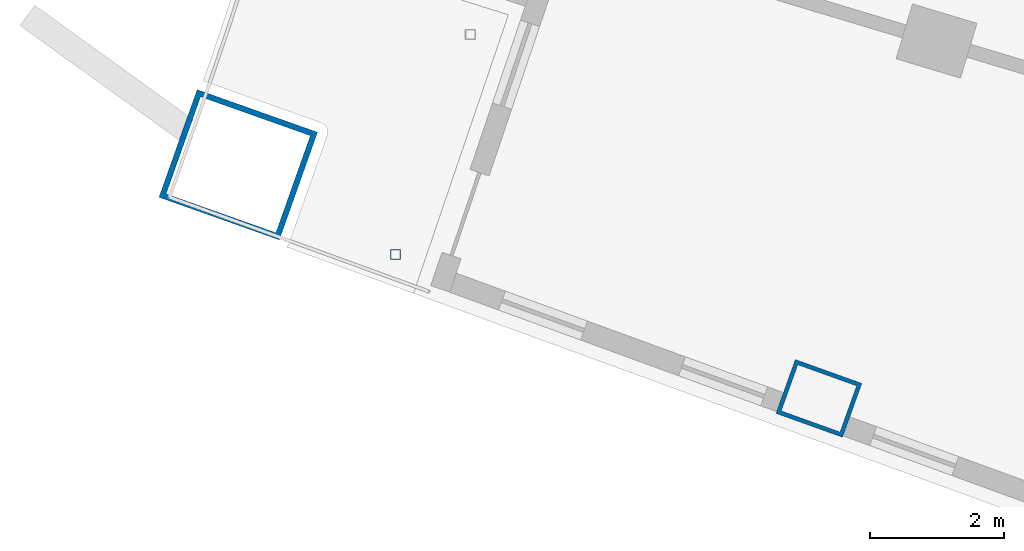
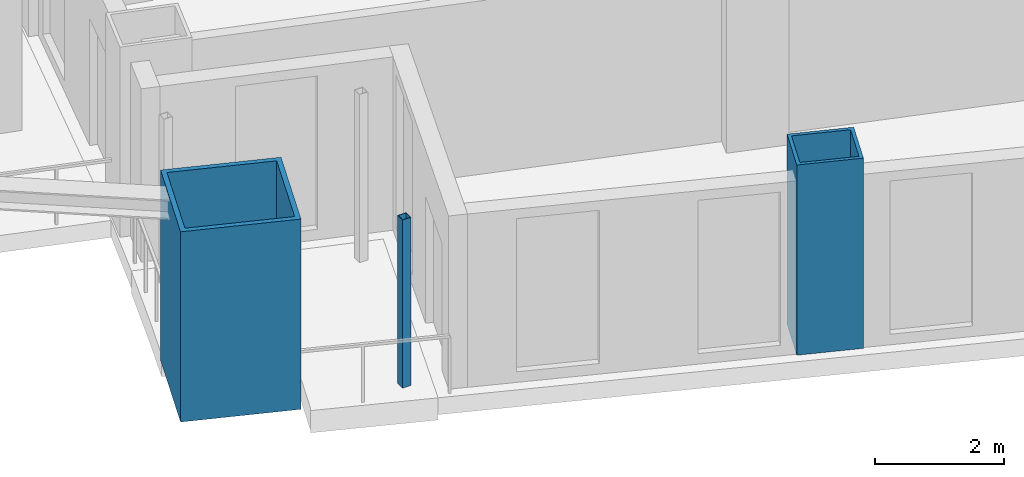
# One storey, part 1 of 25: 3 columns.
"""IFC4 building model written with IfcOpenShell, lengths in metres."""

from ifc_helpers import new_model, si_unit, direction, frame, origin, origin_2d, place, context, subcontext, project, spatial, hollow_rectangle, extrude, material, material_profile, profile_set, type_object, element, save


model = new_model("IFC4")

# Units and contexts
model_context = context("Model", 3, precision=1e-05, world=origin(), true_north=direction((0.0, 1.0)))
body_context = subcontext(model_context, "Body", "Model", "MODEL_VIEW")
ifc_project = project(units=[si_unit("LENGTHUNIT", "METRE"), si_unit("AREAUNIT", "SQUARE_METRE"), si_unit("VOLUMEUNIT", "CUBIC_METRE"), si_unit("PLANEANGLEUNIT", "RADIAN"), si_unit("MASSUNIT", "GRAM", prefix="KILO")], contexts=[model_context])

# Site, building, storey
site_placement = place(None, origin())
site = spatial("IfcSite", under=ifc_project, at=site_placement, CompositionType="ELEMENT")
building_placement = place(site_placement, origin())
building = spatial("IfcBuilding", under=site, at=building_placement, Name="Alderwake Tower", CompositionType="ELEMENT")
storey_placement = place(building_placement, frame((0.0, 0.0, 118.39990234375)))
storey = spatial("IfcBuildingStorey", under=building, at=storey_placement, Name="L29", CompositionType="ELEMENT", Elevation=118.39990234375)

# Columns
ifc_material_1 = material(Name="Steel ASTM A572 Grade 50 concrete filled C70/85", Category="concrete")
ifc_material_profile_1 = material_profile(ifc_material_1, hollow_rectangle(XDim=0.85009765625, YDim=1.050048828125, WallThickness=0.06005859375, at=origin_2d()), Name="BOX 1050X850X60")
ifc_profile_set_1 = profile_set([ifc_material_profile_1], Name="Steel ASTM A572 Grade 50 concrete filled C70/85")
column_type_1 = type_object("IfcColumnType", Name="End column Z2", PredefinedType="COLUMN", material=ifc_profile_set_1)
column_1_placement = place(storey_placement, frame((19.965576171875, 25.1484375, 0.0), z_axis=(0.0, 0.0, 1.0), x_axis=(0.337584879279, 0.9412950915, 0.0)))
element("IfcColumn", 1, at=column_1_placement, inside=storey, type_object=column_type_1, Name="Column R01-C1", PredefinedType="COLUMN", context=body_context, shape_type="SweptSolid", body=[
    extrude(hollow_rectangle(XDim=0.85009765625, YDim=1.050048828125, WallThickness=0.06005859375, at=origin_2d()), origin(), (0.0, 0.0, 1.0), 3.60009765625),
])
ifc_material_2 = material(Name="Steel ASTM A500 Grade C", Category="steel")
ifc_material_profile_2 = material_profile(ifc_material_2, hollow_rectangle(XDim=0.15234375, YDim=0.15234375, WallThickness=0.0087890625, at=origin_2d()), Name="HSS6X6X3/8")
ifc_profile_set_2 = profile_set([ifc_material_profile_2], Name="Steel ASTM A500 Grade C")
column_type_2 = type_object("IfcColumnType", Name="Light post HSS6X6X3/8", PredefinedType="COLUMN", material=ifc_profile_set_2)
column_2_placement = place(storey_placement, frame((13.66796875, 27.28759765625, 0.0), z_axis=(0.0, 0.0, 1.0), x_axis=(1.0, 0.0, 0.0)))
element("IfcColumn", 2, at=column_2_placement, inside=storey, type_object=column_type_2, Name="Terrace post RS2", PredefinedType="COLUMN", context=body_context, shape_type="SweptSolid", body=[
    extrude(hollow_rectangle(XDim=0.15234375, YDim=0.15234375, WallThickness=0.0087890625, at=origin_2d()), origin(), (0.0, 0.0, 1.0), 3.18017578125),
])
ifc_material_3 = material(Name="Steel ASTM A572 Grade 50 concrete filled C70/85", Category="concrete")
ifc_material_profile_3 = material_profile(ifc_material_3, hollow_rectangle(XDim=1.699951171875, YDim=1.89990234375, WallThickness=0.0849609375, at=origin_2d()), Name="BOX 1900X1700X85")
ifc_profile_set_3 = profile_set([ifc_material_profile_3], Name="Steel ASTM A572 Grade 50 concrete filled C70/85")
column_type_3 = type_object("IfcColumnType", Name="Mega column Z2", PredefinedType="COLUMN", material=ifc_profile_set_3)
column_3_placement = place(storey_placement, frame((11.330810546875, 28.622802734375, 0.0), z_axis=(0.0, 0.0, 1.0), x_axis=(0.334130947791, 0.942526662609, 0.0)))
element("IfcColumn", 3, at=column_3_placement, inside=storey, type_object=column_type_3, Name="Column R01-C0", PredefinedType="COLUMN", context=body_context, shape_type="SweptSolid", body=[
    extrude(hollow_rectangle(XDim=1.699951171875, YDim=1.89990234375, WallThickness=0.0849609375, at=origin_2d()), origin(), (0.0, 0.0, 1.0), 3.60009765625),
])

save(model, "model.ifc")
